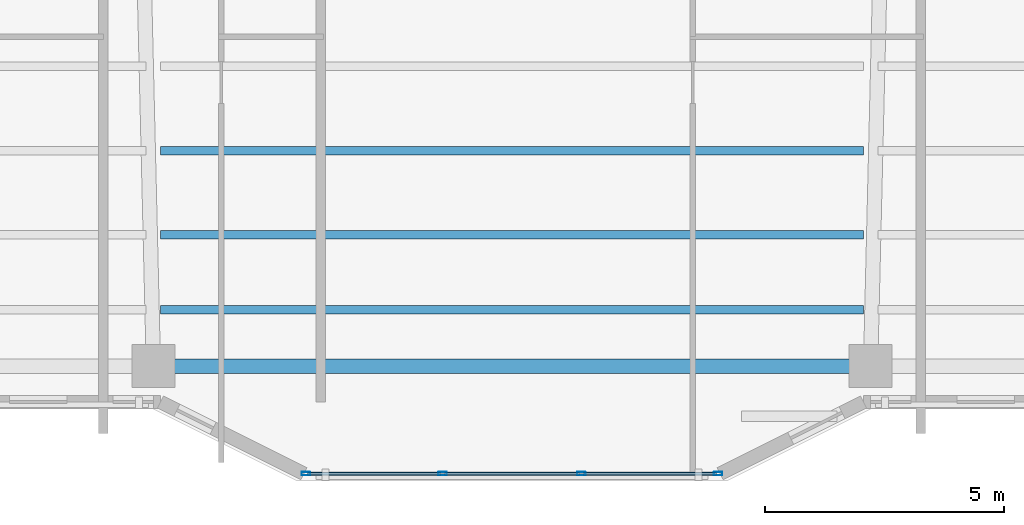
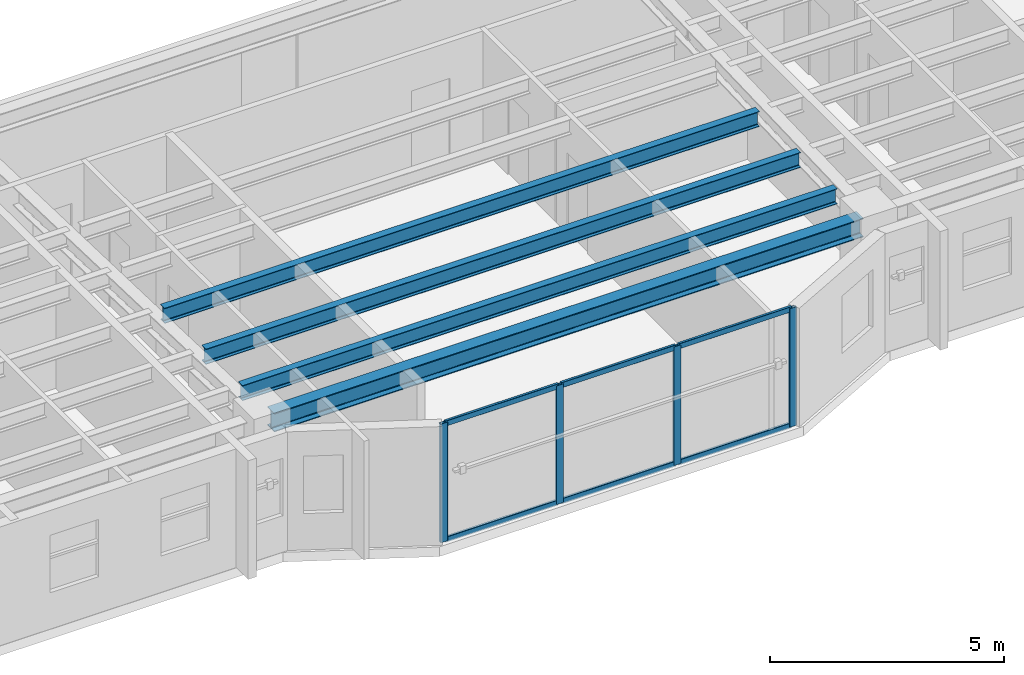
# One storey, part 2 of 17: 10 members, 4 beams, 1 element without a shape of its own.
"""IFC4 building model written with IfcOpenShell, lengths in metres."""

from ifc_helpers import new_model, si_unit, direction, frame, origin, origin_2d, place, context, subcontext, project, spatial, hollow_rectangle, i_section, extrude, material, layer, layer_set, material_profile, profile_set, type_object, element, aggregate, save


model = new_model("IFC4")

# Units and contexts
model_context = context("Model", 3, precision=1e-05, world=origin(), true_north=direction((0.0, 1.0)))
body_context = subcontext(model_context, "Body", "Model", "MODEL_VIEW")
ifc_project = project(units=[si_unit("LENGTHUNIT", "METRE"), si_unit("AREAUNIT", "SQUARE_METRE"), si_unit("VOLUMEUNIT", "CUBIC_METRE"), si_unit("PLANEANGLEUNIT", "RADIAN"), si_unit("MASSUNIT", "GRAM", prefix="KILO")], contexts=[model_context])

# Site, building, storey
site_placement = place(None, origin())
site = spatial("IfcSite", under=ifc_project, at=site_placement, CompositionType="ELEMENT")
building_placement = place(site_placement, origin())
building = spatial("IfcBuilding", under=site, at=building_placement, Name="Tarnavaz Court Tower", CompositionType="ELEMENT")
storey_placement = place(building_placement, frame((0.0, 0.0, 132.60009765625)))
storey = spatial("IfcBuildingStorey", under=building, at=storey_placement, Name="L35", CompositionType="ELEMENT", Elevation=132.60009765625)

# Beams
ifc_material_1 = material(Name="Steel S355", Category="steel")
ifc_material_profile_1 = material_profile(ifc_material_1, i_section(OverallWidth=0.179931640625, OverallDepth=0.39990234375, WebThickness=0.008544921875, FlangeThickness=0.013427734375, FilletRadius=0.02099609375, at=origin_2d()), Name="IPE 400")
ifc_profile_set_1 = profile_set([ifc_material_profile_1], Name="Steel S355")
beam_type_1 = type_object("IfcBeamType", Name="BM-J-IPE400", PredefinedType="JOIST", material=ifc_profile_set_1)
for number, where, z_axis, x_axis, name in (
    (1, (-7.35009765625, -15.89208984375, 2.89990234375), (1.0, 0.0, 0.0), (0.0, 1.0, 0.0), "L35 Beam JS3-2"),
    (2, (-7.35009765625, -17.656005859375, 2.89990234375), (1.0, 0.0, 0.0), (0.0, 1.0, 0.0), "L35 Beam JS4-2"),
    (3, (-7.35009765625, -19.22412109375, 2.89990234375), (1.0, 0.0, 0.0), (0.0, 1.0, 0.0), "L35 Beam JS5-2"),
):
    element("IfcBeam", number, at=place(storey_placement, frame(where, z_axis=z_axis, x_axis=x_axis)), inside=storey, type_object=beam_type_1, Name=name, PredefinedType="JOIST", context=body_context, shape_type="SweptSolid", body=[
        extrude(i_section(OverallWidth=0.179931640625, OverallDepth=0.39990234375, WebThickness=0.008544921875, FlangeThickness=0.013427734375, FilletRadius=0.02099609375, at=origin_2d()), origin(), (0.0, 0.0, 1.0), 14.7001953125),
    ])
ifc_material_profile_2 = material_profile(ifc_material_1, i_section(OverallWidth=0.300048828125, OverallDepth=0.489990234375, WebThickness=0.011962890625, FlangeThickness=0.02294921875, FilletRadius=0.027099609375, at=origin_2d()), Name="HEA 500")
ifc_profile_set_2 = profile_set([ifc_material_profile_2], Name="Steel S355")
beam_type_2 = type_object("IfcBeamType", Name="BM-SP-HEA500", PredefinedType="SPANDREL", material=ifc_profile_set_2)
beam_placement = place(storey_placement, frame((-7.280029296875, -20.39990234375, 2.85498046875), z_axis=(1.0, 0.0, 0.0), x_axis=(0.0, 1.0, 0.0)))
element("IfcBeam", 4, at=beam_placement, inside=storey, type_object=beam_type_2, Name="L35 Beam PR-PS-2-PS-3", PredefinedType="SPANDREL", context=body_context, shape_type="SweptSolid", body=[
    extrude(i_section(OverallWidth=0.300048828125, OverallDepth=0.489990234375, WebThickness=0.011962890625, FlangeThickness=0.02294921875, FilletRadius=0.027099609375, at=origin_2d()), origin(), (0.0, 0.0, 1.0), 14.56005859375),
])

# Curtain wall, members
ifc_material_2 = material(Name="Anodised Aluminium 6063-T6 and Solar Low-E Glazing", Category="aluminium")
ifc_layer = layer(ifc_material_2, 0.159912109375)
ifc_layer_set = layer_set([ifc_layer], Name="Anodised Aluminium 6063-T6 and Solar Low-E Glazing")
curtain_wall_type = type_object("IfcCurtainWallType", Name="CW-SYS-03", PredefinedType="NOTDEFINED", material=ifc_layer_set)
curtain_wall_placement = place(storey_placement, origin())
curtain_wall = element("IfcCurtainWall", 5, at=curtain_wall_placement, inside=storey, type_object=curtain_wall_type, Name="L35 Iwan Prow Curtain Wall 17", PredefinedType="NOTDEFINED")
ifc_material_3 = material(Name="Anodised Aluminium 6063-T6", Category="aluminium")
ifc_material_profile_3 = material_profile(ifc_material_3, hollow_rectangle(XDim=0.074951171875, YDim=0.179931640625, WallThickness=0.0048828125, InnerFilletRadius=0.0048828125, OuterFilletRadius=0.010009765625, at=origin_2d()), Name="ALU RHS 180X75X5")
ifc_profile_set_3 = profile_set([ifc_material_profile_3], Name="Anodised Aluminium 6063-T6")
member_type_1 = type_object("IfcMemberType", Name="CW-MUL-180", PredefinedType="MULLION", material=ifc_profile_set_3)
member_1_placement = place(storey_placement, frame((4.3125, -22.64990234375, 0.0), z_axis=(0.0, 0.0, 1.0), x_axis=(0.0, -1.0, 0.0)))
member_1 = element("IfcMember", 6, at=member_1_placement, type_object=member_type_1, Name="CW mullion 1", PredefinedType="MULLION", context=body_context, shape_type="SweptSolid", body=[
    extrude(hollow_rectangle(XDim=0.074951171875, YDim=0.179931640625, WallThickness=0.0048828125, InnerFilletRadius=0.0048828125, OuterFilletRadius=0.010009765625, at=origin_2d()), origin(), (0.0, 0.0, 1.0), 3.099853515625),
])
member_2_placement = place(storey_placement, frame((1.449951171875, -22.64990234375, 0.0), z_axis=(0.0, 0.0, 1.0), x_axis=(0.0, -1.0, 0.0)))
member_2 = element("IfcMember", 7, at=member_2_placement, type_object=member_type_1, Name="CW mullion 2", PredefinedType="MULLION", context=body_context, shape_type="SweptSolid", body=[
    extrude(hollow_rectangle(XDim=0.074951171875, YDim=0.179931640625, WallThickness=0.0048828125, InnerFilletRadius=0.0048828125, OuterFilletRadius=0.010009765625, at=origin_2d()), origin(), (0.0, 0.0, 1.0), 3.099853515625),
])
member_3_placement = place(storey_placement, frame((-1.449951171875, -22.64990234375, 0.0), z_axis=(0.0, 0.0, 1.0), x_axis=(0.0, -1.0, 0.0)))
member_3 = element("IfcMember", 8, at=member_3_placement, type_object=member_type_1, Name="CW mullion 3", PredefinedType="MULLION", context=body_context, shape_type="SweptSolid", body=[
    extrude(hollow_rectangle(XDim=0.074951171875, YDim=0.179931640625, WallThickness=0.0048828125, InnerFilletRadius=0.0048828125, OuterFilletRadius=0.010009765625, at=origin_2d()), origin(), (0.0, 0.0, 1.0), 3.099853515625),
])
member_4_placement = place(storey_placement, frame((-4.3125, -22.64990234375, 0.0), z_axis=(0.0, 0.0, 1.0), x_axis=(0.0, -1.0, 0.0)))
member_4 = element("IfcMember", 9, at=member_4_placement, type_object=member_type_1, Name="CW mullion 4", PredefinedType="MULLION", context=body_context, shape_type="SweptSolid", body=[
    extrude(hollow_rectangle(XDim=0.074951171875, YDim=0.179931640625, WallThickness=0.0048828125, InnerFilletRadius=0.0048828125, OuterFilletRadius=0.010009765625, at=origin_2d()), origin(), (0.0, 0.0, 1.0), 3.099853515625),
])
ifc_material_profile_4 = material_profile(ifc_material_3, hollow_rectangle(XDim=0.06494140625, YDim=0.139892578125, WallThickness=0.00390625, InnerFilletRadius=0.00390625, OuterFilletRadius=0.008056640625, at=origin_2d()), Name="ALU RHS 140X65X4")
ifc_profile_set_4 = profile_set([ifc_material_profile_4], Name="Anodised Aluminium 6063-T6")
member_type_2 = type_object("IfcMemberType", Name="CW-TRN-140", PredefinedType="USERDEFINED", material=ifc_profile_set_4)
member_5_placement = place(storey_placement, frame((4.27490234375, -22.64990234375, 0.032470703125), z_axis=(-1.0, 0.0, 0.0), x_axis=(0.0, -1.0, 0.0)))
member_5 = element("IfcMember", 10, at=member_5_placement, type_object=member_type_2, Name="CW transom 1.1", ObjectType="TRANSOM", PredefinedType="USERDEFINED", context=body_context, shape_type="SweptSolid", body=[
    extrude(hollow_rectangle(XDim=0.06494140625, YDim=0.139892578125, WallThickness=0.00390625, InnerFilletRadius=0.00390625, OuterFilletRadius=0.008056640625, at=origin_2d()), origin(), (0.0, 0.0, 1.0), 2.787353515625),
])
member_6_placement = place(storey_placement, frame((4.27490234375, -22.64990234375, 3.0673828125), z_axis=(-1.0, 0.0, 0.0), x_axis=(0.0, -1.0, 0.0)))
member_6 = element("IfcMember", 11, at=member_6_placement, type_object=member_type_2, Name="CW transom 1.2", ObjectType="TRANSOM", PredefinedType="USERDEFINED", context=body_context, shape_type="SweptSolid", body=[
    extrude(hollow_rectangle(XDim=0.06494140625, YDim=0.139892578125, WallThickness=0.00390625, InnerFilletRadius=0.00390625, OuterFilletRadius=0.008056640625, at=origin_2d()), origin(), (0.0, 0.0, 1.0), 2.787353515625),
])
member_7_placement = place(storey_placement, frame((1.41259765625, -22.64990234375, 0.032470703125), z_axis=(-1.0, 0.0, 0.0), x_axis=(0.0, -1.0, 0.0)))
member_7 = element("IfcMember", 12, at=member_7_placement, type_object=member_type_2, Name="CW transom 2.1", ObjectType="TRANSOM", PredefinedType="USERDEFINED", context=body_context, shape_type="SweptSolid", body=[
    extrude(hollow_rectangle(XDim=0.06494140625, YDim=0.139892578125, WallThickness=0.00390625, InnerFilletRadius=0.00390625, OuterFilletRadius=0.008056640625, at=origin_2d()), origin(), (0.0, 0.0, 1.0), 2.8251953125),
])
member_8_placement = place(storey_placement, frame((1.41259765625, -22.64990234375, 3.0673828125), z_axis=(-1.0, 0.0, 0.0), x_axis=(0.0, -1.0, 0.0)))
member_8 = element("IfcMember", 13, at=member_8_placement, type_object=member_type_2, Name="CW transom 2.2", ObjectType="TRANSOM", PredefinedType="USERDEFINED", context=body_context, shape_type="SweptSolid", body=[
    extrude(hollow_rectangle(XDim=0.06494140625, YDim=0.139892578125, WallThickness=0.00390625, InnerFilletRadius=0.00390625, OuterFilletRadius=0.008056640625, at=origin_2d()), origin(), (0.0, 0.0, 1.0), 2.8251953125),
])
member_9_placement = place(storey_placement, frame((-1.487548828125, -22.64990234375, 0.032470703125), z_axis=(-1.0, 0.0, 0.0), x_axis=(0.0, -1.0, 0.0)))
member_9 = element("IfcMember", 14, at=member_9_placement, type_object=member_type_2, Name="CW transom 3.1", ObjectType="TRANSOM", PredefinedType="USERDEFINED", context=body_context, shape_type="SweptSolid", body=[
    extrude(hollow_rectangle(XDim=0.06494140625, YDim=0.139892578125, WallThickness=0.00390625, InnerFilletRadius=0.00390625, OuterFilletRadius=0.008056640625, at=origin_2d()), origin(), (0.0, 0.0, 1.0), 2.787353515625),
])
member_10_placement = place(storey_placement, frame((-1.487548828125, -22.64990234375, 3.0673828125), z_axis=(-1.0, 0.0, 0.0), x_axis=(0.0, -1.0, 0.0)))
member_10 = element("IfcMember", 15, at=member_10_placement, type_object=member_type_2, Name="CW transom 3.2", ObjectType="TRANSOM", PredefinedType="USERDEFINED", context=body_context, shape_type="SweptSolid", body=[
    extrude(hollow_rectangle(XDim=0.06494140625, YDim=0.139892578125, WallThickness=0.00390625, InnerFilletRadius=0.00390625, OuterFilletRadius=0.008056640625, at=origin_2d()), origin(), (0.0, 0.0, 1.0), 2.787353515625),
])
aggregate(curtain_wall, [member_1, member_2, member_3, member_4, member_5, member_6, member_7, member_8, member_9, member_10])

save(model, "model.ifc")
